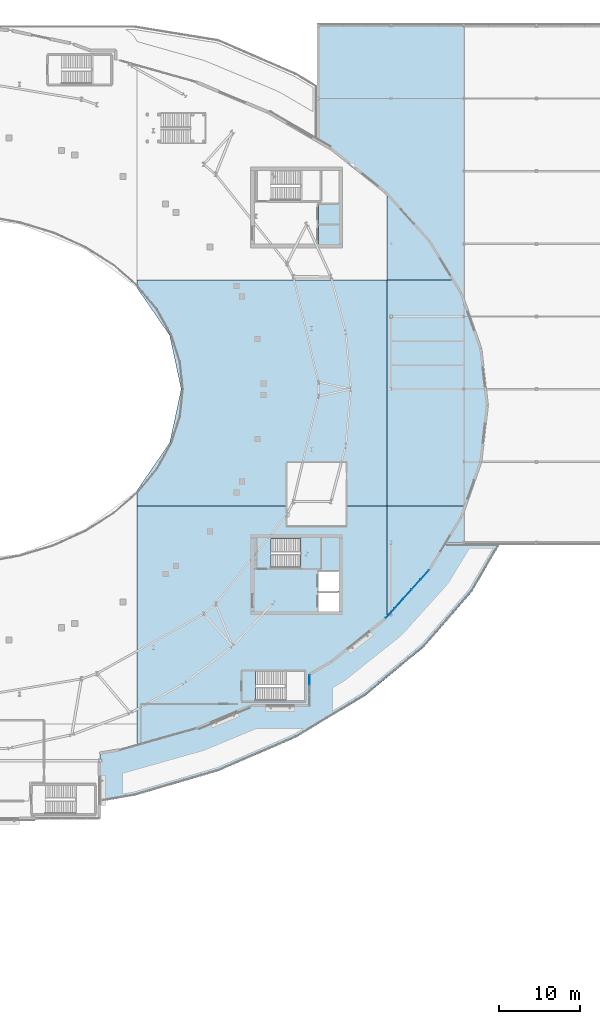
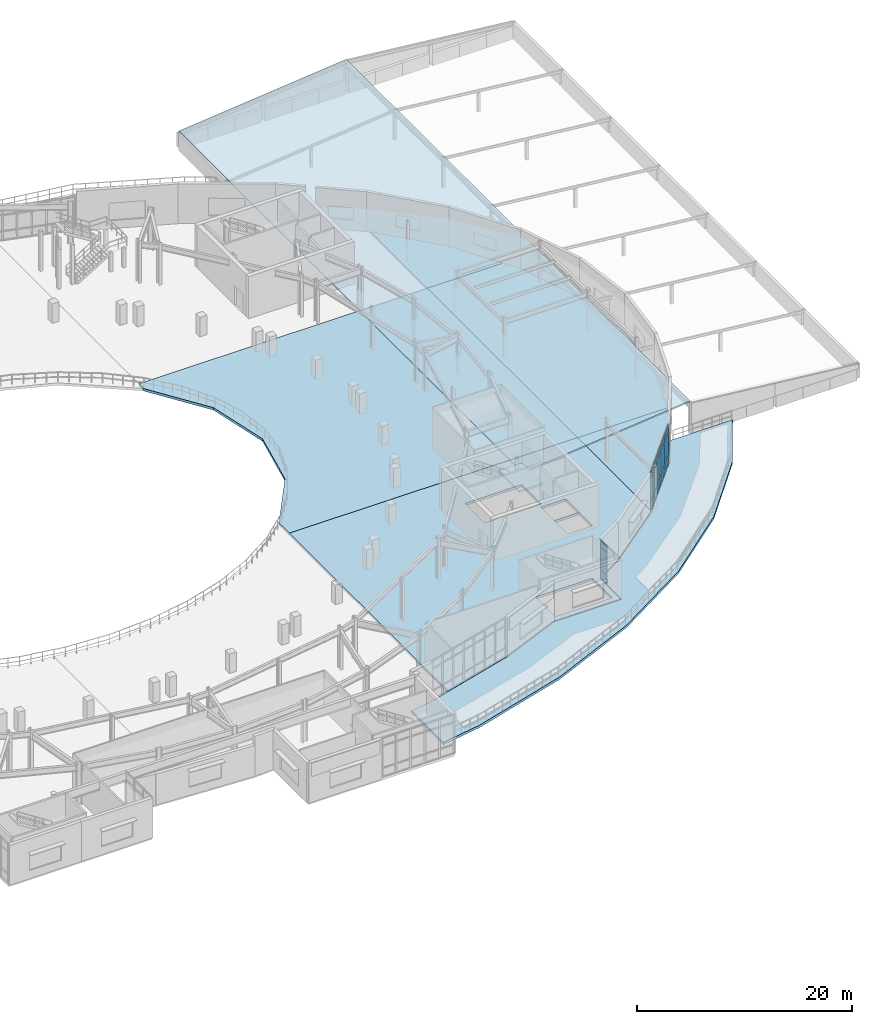
# One storey, part 55 of 84: 18 plates, 8 slabs, 4 elements without a shape of their own.
"""IFC4 building model written with IfcOpenShell, lengths in metres."""

from ifc_helpers import new_model, si_unit, direction, frame, origin, origin_2d, place, context, subcontext, project, spatial, polyline, rectangle, outline, extrude, material, layer, layer_set, type_object, element, aggregate, save


model = new_model("IFC4")

# Units and contexts
model_context = context("Model", 3, precision=1e-05, world=origin(), true_north=direction((0.0, 1.0)))
body_context = subcontext(model_context, "Body", "Model", "MODEL_VIEW")
ifc_project = project(units=[si_unit("LENGTHUNIT", "METRE"), si_unit("AREAUNIT", "SQUARE_METRE"), si_unit("VOLUMEUNIT", "CUBIC_METRE"), si_unit("PLANEANGLEUNIT", "RADIAN"), si_unit("MASSUNIT", "GRAM", prefix="KILO")], contexts=[model_context])

# Site, building, storey
site_placement = place(None, origin())
site = spatial("IfcSite", under=ifc_project, at=site_placement, CompositionType="ELEMENT")
building_placement = place(site_placement, origin())
building = spatial("IfcBuilding", under=site, at=building_placement, Name="Glasvene Arena", CompositionType="ELEMENT")
storey_placement = place(building_placement, frame((0.0, 0.0, 10.199951171875)))
storey = spatial("IfcBuildingStorey", under=building, at=storey_placement, Name="L02", CompositionType="ELEMENT", Elevation=10.199951171875)

# Curtain wall, plates
ifc_material_1 = material(Name="Low-emissivity laminated double glazing", Category="glass")
curtain_wall_type_1 = type_object("IfcCurtainWallType", Name="CW-FAC-L02-800x446", PredefinedType="USERDEFINED", material=ifc_material_1)
curtain_wall_1_placement = place(storey_placement, frame((151.690673828125, 50.586181640625, 0.0)))
curtain_wall_1 = element("IfcCurtainWall", 1, at=curtain_wall_1_placement, inside=storey, type_object=curtain_wall_type_1, Name="Unitised curtain wall CW-F-L02-180-1490-476-40", ObjectType="CURTAIN WALL", PredefinedType="USERDEFINED")
ifc_layer_1 = layer(ifc_material_1, 0.028076171875)
ifc_layer_set_1 = layer_set([ifc_layer_1], Name="Low-emissivity laminated double glazing")
plate_type = type_object("IfcPlateType", Name="CW-GLZ-28", PredefinedType="CURTAIN_PANEL", material=ifc_layer_set_1)
plate_1_placement = place(storey_placement, frame((151.147216796875, 49.98193359375, 0.10986328125), z_axis=(0.0, 0.0, 1.0), x_axis=(-0.668722979757, -0.743511651788, 0.0)))
plate_1 = element("IfcPlate", 2, at=plate_1_placement, type_object=plate_type, Name="CW-024 panel 1.1", PredefinedType="CURTAIN_PANEL", context=body_context, shape_type="SweptSolid", body=[
    extrude(rectangle(XDim=1.52490234375, YDim=0.028076171875, at=origin_2d()), origin(), (0.0, 0.0, 1.0), 0.965087890625),
])
plate_2_placement = place(storey_placement, frame((151.147216796875, 49.98193359375, 1.125), z_axis=(0.0, 0.0, 1.0), x_axis=(-0.668722979757, -0.743511651788, 0.0)))
plate_2 = element("IfcPlate", 3, at=plate_2_placement, type_object=plate_type, Name="CW-024 panel 1.2", PredefinedType="CURTAIN_PANEL", context=body_context, shape_type="SweptSolid", body=[
    extrude(rectangle(XDim=1.52490234375, YDim=0.028076171875, at=origin_2d()), origin(), (0.0, 0.0, 1.0), 2.469970703125),
])
plate_3_placement = place(storey_placement, frame((151.147216796875, 49.98193359375, 3.64501953125), z_axis=(0.0, 0.0, 1.0), x_axis=(-0.668722979757, -0.743511651788, 0.0)))
plate_3 = element("IfcPlate", 4, at=plate_3_placement, type_object=plate_type, Name="CW-024 panel 1.3", PredefinedType="CURTAIN_PANEL", context=body_context, shape_type="SweptSolid", body=[
    extrude(rectangle(XDim=1.52490234375, YDim=0.028076171875, at=origin_2d()), origin(), (0.0, 0.0, 1.0), 0.824951171875),
])
plate_4_placement = place(storey_placement, frame((150.085693359375, 48.8017578125, 0.10986328125), z_axis=(0.0, 0.0, 1.0), x_axis=(-0.668722979757, -0.743511651788, 0.0)))
plate_4 = element("IfcPlate", 5, at=plate_4_placement, type_object=plate_type, Name="CW-024 panel 2.1", PredefinedType="CURTAIN_PANEL", context=body_context, shape_type="SweptSolid", body=[
    extrude(rectangle(XDim=1.550048828125, YDim=0.028076171875, at=origin_2d()), origin(), (0.0, 0.0, 1.0), 0.965087890625),
])
plate_5_placement = place(storey_placement, frame((150.085693359375, 48.8017578125, 1.125), z_axis=(0.0, 0.0, 1.0), x_axis=(-0.668722979757, -0.743511651788, 0.0)))
plate_5 = element("IfcPlate", 6, at=plate_5_placement, type_object=plate_type, Name="CW-024 panel 2.2", PredefinedType="CURTAIN_PANEL", context=body_context, shape_type="SweptSolid", body=[
    extrude(rectangle(XDim=1.550048828125, YDim=0.028076171875, at=origin_2d()), origin(), (0.0, 0.0, 1.0), 2.469970703125),
])
plate_6_placement = place(storey_placement, frame((150.085693359375, 48.8017578125, 3.64501953125), z_axis=(0.0, 0.0, 1.0), x_axis=(-0.668722979757, -0.743511651788, 0.0)))
plate_6 = element("IfcPlate", 7, at=plate_6_placement, type_object=plate_type, Name="CW-024 panel 2.3", PredefinedType="CURTAIN_PANEL", context=body_context, shape_type="SweptSolid", body=[
    extrude(rectangle(XDim=1.550048828125, YDim=0.028076171875, at=origin_2d()), origin(), (0.0, 0.0, 1.0), 0.824951171875),
])
plate_7_placement = place(storey_placement, frame((149.015869140625, 47.612060546875, 0.10986328125), z_axis=(0.0, 0.0, 1.0), x_axis=(-0.668722979757, -0.743511651788, 0.0)))
plate_7 = element("IfcPlate", 8, at=plate_7_placement, type_object=plate_type, Name="CW-024 panel 3.1", PredefinedType="CURTAIN_PANEL", context=body_context, shape_type="SweptSolid", body=[
    extrude(rectangle(XDim=1.550048828125, YDim=0.028076171875, at=origin_2d()), origin(), (0.0, 0.0, 1.0), 0.965087890625),
])
plate_8_placement = place(storey_placement, frame((149.015869140625, 47.612060546875, 1.125), z_axis=(0.0, 0.0, 1.0), x_axis=(-0.668722979757, -0.743511651788, 0.0)))
plate_8 = element("IfcPlate", 9, at=plate_8_placement, type_object=plate_type, Name="CW-024 panel 3.2", PredefinedType="CURTAIN_PANEL", context=body_context, shape_type="SweptSolid", body=[
    extrude(rectangle(XDim=1.550048828125, YDim=0.028076171875, at=origin_2d()), origin(), (0.0, 0.0, 1.0), 2.469970703125),
])
plate_9_placement = place(storey_placement, frame((149.015869140625, 47.612060546875, 3.64501953125), z_axis=(0.0, 0.0, 1.0), x_axis=(-0.668722979757, -0.743511651788, 0.0)))
plate_9 = element("IfcPlate", 10, at=plate_9_placement, type_object=plate_type, Name="CW-024 panel 3.3", PredefinedType="CURTAIN_PANEL", context=body_context, shape_type="SweptSolid", body=[
    extrude(rectangle(XDim=1.550048828125, YDim=0.028076171875, at=origin_2d()), origin(), (0.0, 0.0, 1.0), 0.824951171875),
])
plate_10_placement = place(storey_placement, frame((147.94580078125, 46.422607421875, 0.10986328125), z_axis=(0.0, 0.0, 1.0), x_axis=(-0.668722979757, -0.743511651788, 0.0)))
plate_10 = element("IfcPlate", 11, at=plate_10_placement, type_object=plate_type, Name="CW-024 panel 4.1", PredefinedType="CURTAIN_PANEL", context=body_context, shape_type="SweptSolid", body=[
    extrude(rectangle(XDim=1.550048828125, YDim=0.028076171875, at=origin_2d()), origin(), (0.0, 0.0, 1.0), 0.965087890625),
])
plate_11_placement = place(storey_placement, frame((147.94580078125, 46.422607421875, 1.125), z_axis=(0.0, 0.0, 1.0), x_axis=(-0.668722979757, -0.743511651788, 0.0)))
plate_11 = element("IfcPlate", 12, at=plate_11_placement, type_object=plate_type, Name="CW-024 panel 4.2", PredefinedType="CURTAIN_PANEL", context=body_context, shape_type="SweptSolid", body=[
    extrude(rectangle(XDim=1.550048828125, YDim=0.028076171875, at=origin_2d()), origin(), (0.0, 0.0, 1.0), 2.469970703125),
])
plate_12_placement = place(storey_placement, frame((147.94580078125, 46.422607421875, 3.64501953125), z_axis=(0.0, 0.0, 1.0), x_axis=(-0.668722979757, -0.743511651788, 0.0)))
plate_12 = element("IfcPlate", 13, at=plate_12_placement, type_object=plate_type, Name="CW-024 panel 4.3", PredefinedType="CURTAIN_PANEL", context=body_context, shape_type="SweptSolid", body=[
    extrude(rectangle(XDim=1.550048828125, YDim=0.028076171875, at=origin_2d()), origin(), (0.0, 0.0, 1.0), 0.824951171875),
])
plate_13_placement = place(storey_placement, frame((146.88427734375, 45.2421875, 0.10986328125), z_axis=(0.0, 0.0, 1.0), x_axis=(-0.668722979757, -0.743511651788, 0.0)))
plate_13 = element("IfcPlate", 14, at=plate_13_placement, type_object=plate_type, Name="CW-024 panel 5.1", PredefinedType="CURTAIN_PANEL", context=body_context, shape_type="SweptSolid", body=[
    extrude(rectangle(XDim=1.52490234375, YDim=0.028076171875, at=origin_2d()), origin(), (0.0, 0.0, 1.0), 0.965087890625),
])
plate_14_placement = place(storey_placement, frame((146.88427734375, 45.2421875, 1.125), z_axis=(0.0, 0.0, 1.0), x_axis=(-0.668722979757, -0.743511651788, 0.0)))
plate_14 = element("IfcPlate", 15, at=plate_14_placement, type_object=plate_type, Name="CW-024 panel 5.2", PredefinedType="CURTAIN_PANEL", context=body_context, shape_type="SweptSolid", body=[
    extrude(rectangle(XDim=1.52490234375, YDim=0.028076171875, at=origin_2d()), origin(), (0.0, 0.0, 1.0), 2.469970703125),
])
plate_15_placement = place(storey_placement, frame((146.88427734375, 45.2421875, 3.64501953125), z_axis=(0.0, 0.0, 1.0), x_axis=(-0.668722979757, -0.743511651788, 0.0)))
plate_15 = element("IfcPlate", 16, at=plate_15_placement, type_object=plate_type, Name="CW-024 panel 5.3", PredefinedType="CURTAIN_PANEL", context=body_context, shape_type="SweptSolid", body=[
    extrude(rectangle(XDim=1.52490234375, YDim=0.028076171875, at=origin_2d()), origin(), (0.0, 0.0, 1.0), 0.824951171875),
])
aggregate(curtain_wall_1, [plate_1, plate_2, plate_3, plate_4, plate_5, plate_6, plate_7, plate_8, plate_9, plate_10, plate_11, plate_12, plate_13, plate_14, plate_15])

curtain_wall_type_2 = type_object("IfcCurtainWallType", Name="CW-FAC-L02-380x446", PredefinedType="USERDEFINED", material=ifc_material_1)
curtain_wall_2_placement = place(storey_placement, frame((136.89990234375, 37.640625, 0.0)))
curtain_wall_2 = element("IfcCurtainWall", 17, at=curtain_wall_2_placement, inside=storey, type_object=curtain_wall_type_2, Name="Unitised curtain wall CW-F-L02-180-1369-357-43", ObjectType="CURTAIN WALL", PredefinedType="USERDEFINED")
plate_16_placement = place(storey_placement, frame((136.89990234375, 36.99462890625, 0.10986328125), z_axis=(0.0, 0.0, 1.0), x_axis=(0.0, -1.0, 0.0)))
plate_16 = element("IfcPlate", 18, at=plate_16_placement, type_object=plate_type, Name="CW-025 panel 1.1", PredefinedType="CURTAIN_PANEL", context=body_context, shape_type="SweptSolid", body=[
    extrude(rectangle(XDim=1.19189453125, YDim=0.028076171875, at=origin_2d()), origin(), (0.0, 0.0, 1.0), 0.965087890625),
])
plate_17_placement = place(storey_placement, frame((136.89990234375, 36.99462890625, 1.125), z_axis=(0.0, 0.0, 1.0), x_axis=(0.0, -1.0, 0.0)))
plate_17 = element("IfcPlate", 19, at=plate_17_placement, type_object=plate_type, Name="CW-025 panel 1.2", PredefinedType="CURTAIN_PANEL", context=body_context, shape_type="SweptSolid", body=[
    extrude(rectangle(XDim=1.19189453125, YDim=0.028076171875, at=origin_2d()), origin(), (0.0, 0.0, 1.0), 2.469970703125),
])
plate_18_placement = place(storey_placement, frame((136.89990234375, 36.99462890625, 3.64501953125), z_axis=(0.0, 0.0, 1.0), x_axis=(0.0, -1.0, 0.0)))
plate_18 = element("IfcPlate", 20, at=plate_18_placement, type_object=plate_type, Name="CW-025 panel 1.3", PredefinedType="CURTAIN_PANEL", context=body_context, shape_type="SweptSolid", body=[
    extrude(rectangle(XDim=1.19189453125, YDim=0.028076171875, at=origin_2d()), origin(), (0.0, 0.0, 1.0), 0.824951171875),
])
aggregate(curtain_wall_2, [plate_16, plate_17, plate_18])

# Slabs
ifc_material_2 = material(Name="Concrete C40/50", Category="concrete")
ifc_layer_2 = layer(ifc_material_2, 0.280029296875)
ifc_layer_set_2 = layer_set([ifc_layer_2], Name="Concrete C40/50")
slab_type_1 = type_object("IfcSlabType", Name="SL-CONC-280", PredefinedType="FLOOR", material=ifc_layer_set_2)
slab_1_placement = place(storey_placement, frame((133.626953125, 41.0849609375, -0.280029296875)))
element("IfcSlab", 21, at=slab_1_placement, inside=storey, type_object=slab_type_1, Name="Structural floor slab L02 sector 2-5 (69)", PredefinedType="FLOOR", context=body_context, shape_type="SweptSolid", body=[
    extrude(outline(polyline([(-18.126953125, 17.4150390625), (12.873046875, 17.4150390625), (12.873046875, 3.72998046875), (12.687255859375, 3.5234375), (5.971435546875, -1.833984375), (3.27294921875, -3.404296875), (3.27294921875, -7.284912109375), (-3.98779296875, -7.284912109375), (-10.708984375, -10.091064453125), (-18.126953125, -12.1845703125), (-18.126953125, 17.4150390625)]), holes=[polyline([(2.673095703125, -3.034912109375), (-3.425048828125, -3.034912109375), (-3.425048828125, -6.68505859375), (2.673095703125, -6.68505859375), (2.673095703125, -3.034912109375)]), polyline([(6.923095703125, 4.364990234375), (6.923095703125, 6.81494140625), (4.27294921875, 6.81494140625), (4.27294921875, 4.364990234375), (6.923095703125, 4.364990234375)]), polyline([(6.923095703125, 6.9150390625), (6.923095703125, 9.364990234375), (4.27294921875, 9.364990234375), (4.27294921875, 6.9150390625), (6.923095703125, 6.9150390625)]), polyline([(4.572998046875, 13.4150390625), (-1.52490234375, 13.4150390625), (-1.52490234375, 9.76513671875), (4.572998046875, 9.76513671875), (4.572998046875, 13.4150390625)])]), origin(), (0.0, 0.0, 1.0), 0.280029296875),
])
slab_2_placement = place(storey_placement, frame((151.310302734375, 53.9111328125, -0.280029296875)))
element("IfcSlab", 22, at=slab_2_placement, inside=storey, type_object=slab_type_1, Name="Structural floor slab L02 sector 2-6 (70)", PredefinedType="FLOOR", context=body_context, shape_type="SweptSolid", body=[
    extrude(outline(polyline([(4.3642578125, 3.2138671875), (0.406982421875, -3.29541015625), (-4.810302734375, -9.09619140625), (-4.810302734375, 4.5888671875), (4.848876953125, 4.5888671875), (4.3642578125, 3.2138671875)])), origin(), (0.0, 0.0, 1.0), 0.280029296875),
])
slab_3_placement = place(storey_placement, frame((123.90673828125, 72.77783203125, -0.280029296875)))
element("IfcSlab", 23, at=slab_3_placement, inside=storey, type_object=slab_type_1, Name="Structural floor slab L02 sector 3-5 (74)", PredefinedType="FLOOR", context=body_context, shape_type="SweptSolid", body=[
    extrude(outline(polyline([(-8.40673828125, 12.803466796875), (-8.40673828125, 13.72216796875), (22.59326171875, 13.72216796875), (22.59326171875, -14.27783203125), (-8.40673828125, -14.27783203125), (-8.40673828125, -12.359130859375), (-4.326171875, -6.421630859375), (-2.90673828125, 0.22216796875), (-4.326171875, 6.865966796875), (-8.40673828125, 12.803466796875)])), origin(), (0.0, 0.0, 1.0), 0.280029296875),
])
slab_4_placement = place(storey_placement, frame((154.32470703125, 73.484375, -0.280029296875)))
element("IfcSlab", 24, at=slab_4_placement, inside=storey, type_object=slab_type_1, Name="Structural floor slab L02 sector 3-6 (75)", PredefinedType="FLOOR", context=body_context, shape_type="SweptSolid", body=[
    extrude(outline(polyline([(1.349853515625, 11.390625), (3.763916015625, 4.53955078125), (4.5751953125, -2.484375), (3.763916015625, -9.50830078125), (1.83447265625, -14.984375), (-7.82470703125, -14.984375), (-7.82470703125, 13.015625), (0.36181640625, 13.015625), (1.349853515625, 11.390625)])), origin(), (0.0, 0.0, 1.0), 0.280029296875),
])
slab_5_placement = place(storey_placement, frame((149.85107421875, 90.392333984375, -0.280029296875)))
element("IfcSlab", 25, at=slab_5_placement, inside=storey, type_object=slab_type_1, Name="Structural floor slab L02 sector 4-6 (81)", PredefinedType="FLOOR", context=body_context, shape_type="SweptSolid", body=[
    extrude(outline(polyline([(1.8662109375, 0.991943359375), (4.83544921875, -3.892333984375), (-3.35107421875, -3.892333984375), (-3.35107421875, 6.792724609375), (1.8662109375, 0.991943359375)])), origin(), (0.0, 0.0, 1.0), 0.280029296875),
])

# Stair, slab
stair_type = type_object("IfcStairType", Name="ST-HT-480-170", PredefinedType="HALF_TURN_STAIR", material=ifc_material_2)
stair_placement = place(storey_placement, origin())
stair = element("IfcStair", 26, at=stair_placement, inside=storey, type_object=stair_type, Name="Protected escape stair ST-04 (L02 to L03)", PredefinedType="HALF_TURN_STAIR")
ifc_layer_3 = layer(ifc_material_2, 0.219970703125)
ifc_layer_set_3 = layer_set([ifc_layer_3], Name="Concrete C40/50")
slab_type_2 = type_object("IfcSlabType", Name="SL-LAND-220", PredefinedType="LANDING", material=ifc_layer_set_3)
slab_6_placement = place(storey_placement, frame((137.02001953125, 52.675048828125, 2.179931640625)))
slab_6 = element("IfcSlab", 27, at=slab_6_placement, type_object=slab_type_2, Name="Protected escape stair ST-04 (L02 to L03) landing 1", PredefinedType="LANDING", context=body_context, shape_type="SweptSolid", body=[
    extrude(outline(polyline([(-1.280029296875, -1.925048828125), (1.280029296875, -1.925048828125), (1.280029296875, 1.925048828125), (-1.280029296875, 1.925048828125), (-1.280029296875, -1.925048828125)])), origin(), (0.0, 0.0, 1.0), 0.22021484375),
])
aggregate(stair, [slab_6])

# Slab
ifc_layer_4 = layer(ifc_material_2, 0.280029296875)
ifc_layer_set_4 = layer_set([ifc_layer_4], Name="Concrete C40/50")
slab_type_3 = type_object("IfcSlabType", Name="SL-TERR-280", PredefinedType="FLOOR", material=ifc_layer_set_4)
slab_7_placement = place(storey_placement, frame((135.8251953125, 36.17822265625, -0.280029296875)))
element("IfcSlab", 28, at=slab_7_placement, inside=storey, type_object=slab_type_3, Name="Planted limestone terrace slab TR-L02-STEP1-1", PredefinedType="FLOOR", context=body_context, shape_type="SweptSolid", body=[
    extrude(outline(polyline([(21.193603515625, 11.736328125), (15.302734375, 4.932861328125), (7.98046875, -1.134521484375), (-0.5927734375, -6.316650390625), (-10.2060546875, -10.48583984375), (-20.622314453125, -13.539306640625), (-24.88525390625, -14.263671875), (-24.88525390625, -8.317626953125), (-22.45458984375, -7.920166015625), (-12.896240234375, -5.222900390625), (-6.177978515625, -2.418212890625), (1.07470703125, -2.418212890625), (1.090087890625, -2.415283203125), (1.105712890625, -2.403564453125), (1.113037109375, -2.389892578125), (1.11474609375, 1.4794921875), (3.793212890625, 3.0380859375), (10.516357421875, 8.401123046875), (15.92431640625, 14.41357421875), (17.874755859375, 17.621826171875), (24.63818359375, 17.621826171875), (21.193603515625, 11.736328125)])), origin(), (0.0, 0.0, 1.0), 0.280029296875),
])

# Roof, slab
ifc_material_3 = material(Name="Smooth matte white insulated roof panel")
ifc_layer_5 = layer(ifc_material_3, 0.179931640625)
ifc_layer_set_5 = layer_set([ifc_layer_5], Name="Smooth matte white insulated roof panel")
roof_type = type_object("IfcRoofType", Name="RF-PETAL-ASSY", PredefinedType="PAVILION_ROOF", material=ifc_layer_set_5)
roof_placement = place(storey_placement, frame((156.0, 86.0, 1.75)))
roof = element("IfcRoof", 29, at=roof_placement, inside=storey, type_object=roof_type, Name="Pitched Prairie wing roof V5", PredefinedType="PAVILION_ROOF")
ifc_layer_6 = layer(ifc_material_2, 0.159912109375)
ifc_layer_set_6 = layer_set([ifc_layer_6], Name="Concrete C40/50")
slab_type_4 = type_object("IfcSlabType", Name="SL-WING-160", PredefinedType="ROOF", material=ifc_layer_set_6)
slab_8_placement = place(storey_placement, frame((138.0, 54.0, 1.75), z_axis=(-0.10224454656, 0.0, 0.994759293849), x_axis=(0.994759293849, 0.0, 0.10224454656)))
slab_8 = element("IfcSlab", 30, at=slab_8_placement, type_object=slab_type_4, Name="Pitched wing roof slab V5-W", PredefinedType="ROOF", context=body_context, shape_type="SweptSolid", body=[
    extrude(outline(polyline([(0.0, 0.0), (18.094829685235, 0.0), (18.094829685235, 64.0), (0.0, 64.0), (0.0, 0.0)])), origin(), (0.0, 0.0, -1.0), 0.159912109375),
])
aggregate(roof, [slab_8])

save(model, "model.ifc")
